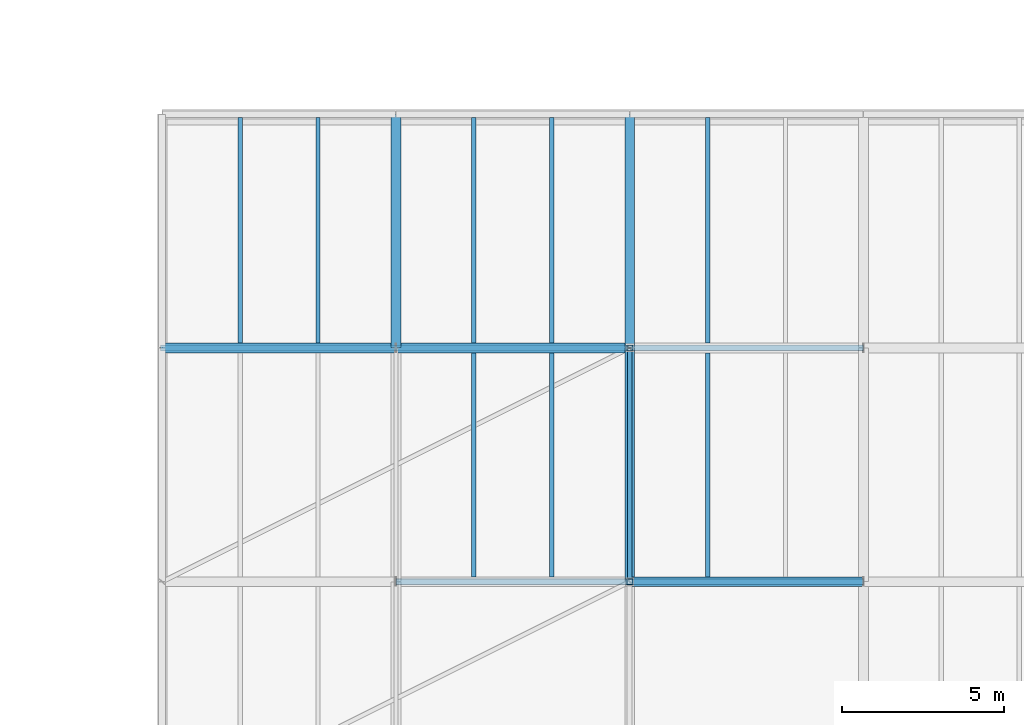
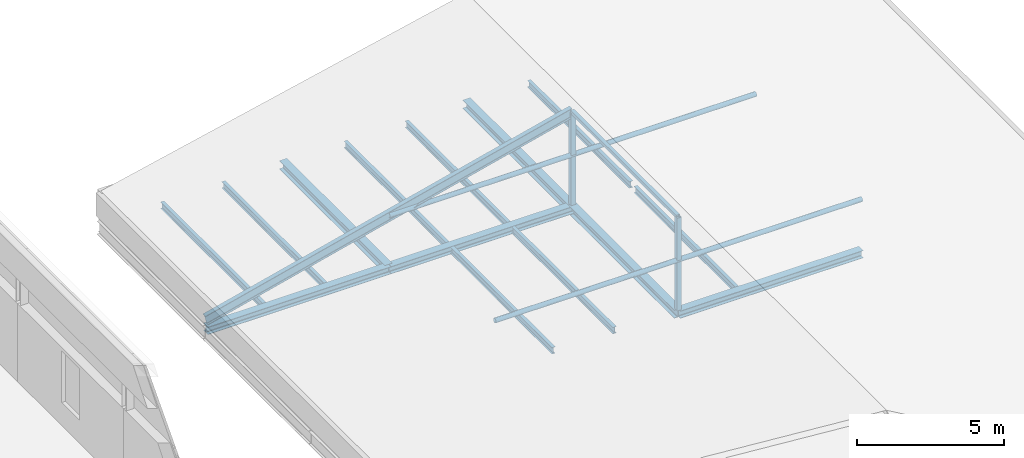
# One storey, part 9 of 44: 14 beams, 6 members.
"""IFC4 building model written with IfcOpenShell, lengths in metres."""

from ifc_helpers import new_model, si_unit, direction, frame, origin, origin_2d, place, context, subcontext, project, spatial, hollow_rectangle, hollow_circle, i_section, extrude, material, material_profile, profile_set, type_object, element, save


model = new_model("IFC4")

# Units and contexts
model_context = context("Model", 3, precision=1e-05, world=origin(), true_north=direction((0.0, 1.0)))
body_context = subcontext(model_context, "Body", "Model", "MODEL_VIEW")
ifc_project = project(units=[si_unit("LENGTHUNIT", "METRE"), si_unit("AREAUNIT", "SQUARE_METRE"), si_unit("VOLUMEUNIT", "CUBIC_METRE"), si_unit("PLANEANGLEUNIT", "RADIAN"), si_unit("MASSUNIT", "GRAM", prefix="KILO")], contexts=[model_context])

# Site, building, storey
site_placement = place(None, origin())
site = spatial("IfcSite", under=ifc_project, at=site_placement, CompositionType="ELEMENT")
building_placement = place(site_placement, origin())
building = spatial("IfcBuilding", under=site, at=building_placement, Name="Narikvali Park Central Library", CompositionType="ELEMENT")
storey_placement = place(building_placement, frame((0.0, 0.0, 22.800048828125)))
storey = spatial("IfcBuildingStorey", under=building, at=storey_placement, Name="L05", CompositionType="ELEMENT", Elevation=22.800048828125)

# Members
ifc_material = material(Name="Steel S355", Category="steel")
ifc_material_profile_1 = material_profile(ifc_material, hollow_rectangle(XDim=0.179931640625, YDim=0.179931640625, WallThickness=0.010009765625, at=origin_2d()), Name="SHS 180x180x10")
ifc_profile_set_1 = profile_set([ifc_material_profile_1], Name="Steel S355")
member_type_1 = type_object("IfcMemberType", Name="Auditorium Truss Vertical SHS180", PredefinedType="COLLAR", material=ifc_profile_set_1)
for number, where, z_axis, x_axis, name in (
    (1, (43.199951171875, 86.39990234375, -0.239990234375), (0.0, 0.0, 1.0), (1.0, 0.0, 0.0), "V4 Roof Truss King Strut 4"),
    (2, (43.199951171875, 93.60009765625, -0.239990234375), (0.0, 0.0, 1.0), (1.0, 0.0, 0.0), "V4 Roof Truss King Strut 5"),
):
    element("IfcMember", number, at=place(storey_placement, frame(where, z_axis=z_axis, x_axis=x_axis)), inside=storey, type_object=member_type_1, Name=name, PredefinedType="COLLAR", context=body_context, shape_type="SweptSolid", body=[
        extrude(hollow_rectangle(XDim=0.179931640625, YDim=0.179931640625, WallThickness=0.010009765625, at=origin_2d()), origin(), (0.0, 0.0, 1.0), 3.83984375),
    ])

# Beams
ifc_material_profile_2 = material_profile(ifc_material, i_section(OverallWidth=0.135009765625, OverallDepth=0.27001953125, WebThickness=0.006591796875, FlangeThickness=0.01025390625, FilletRadius=0.014892578125, at=origin_2d()), Name="IPE 270")
ifc_profile_set_2 = profile_set([ifc_material_profile_2], Name="Steel S355")
beam_type_1 = type_object("IfcBeamType", Name="Composite Floor Joist IPE270", PredefinedType="JOIST", material=ifc_profile_set_2)
for number, where, z_axis, x_axis, name in (
    (3, (31.199951171875, 93.75, -0.375), (0.0, 1.0, 0.0), (-1.0, 0.0, 0.0), "V4 L05 Composite Joist 1"),
    (4, (33.60009765625, 93.75, -0.375), (0.0, 1.0, 0.0), (-1.0, 0.0, 0.0), "V4 L05 Composite Joist 2"),
):
    element("IfcBeam", number, at=place(storey_placement, frame(where, z_axis=z_axis, x_axis=x_axis)), inside=storey, type_object=beam_type_1, Name=name, PredefinedType="JOIST", context=body_context, shape_type="SweptSolid", body=[
        extrude(i_section(OverallWidth=0.135009765625, OverallDepth=0.27001953125, WebThickness=0.006591796875, FlangeThickness=0.01025390625, FilletRadius=0.014892578125, at=origin_2d()), origin(), (0.0, 0.0, 1.0), 6.945068359375),
    ])
for number, where, z_axis, x_axis, name in (
    (5, (38.39990234375, 86.550048828125, -0.375), (0.0, 1.0, 0.0), (-1.0, 0.0, 0.0), "V4 L05 Composite Joist 1"),
    (6, (40.800048828125, 86.550048828125, -0.375), (0.0, 1.0, 0.0), (-1.0, 0.0, 0.0), "V4 L05 Composite Joist 2"),
):
    element("IfcBeam", number, at=place(storey_placement, frame(where, z_axis=z_axis, x_axis=x_axis)), inside=storey, type_object=beam_type_1, Name=name, PredefinedType="JOIST", context=body_context, shape_type="SweptSolid", body=[
        extrude(i_section(OverallWidth=0.135009765625, OverallDepth=0.27001953125, WebThickness=0.006591796875, FlangeThickness=0.01025390625, FilletRadius=0.014892578125, at=origin_2d()), origin(), (0.0, 0.0, 1.0), 6.89990234375),
    ])
for number, where, z_axis, x_axis, name in (
    (7, (38.39990234375, 93.75, -0.375), (0.0, 1.0, 0.0), (-1.0, 0.0, 0.0), "V4 L05 Composite Joist 1"),
    (8, (40.800048828125, 93.75, -0.375), (0.0, 1.0, 0.0), (-1.0, 0.0, 0.0), "V4 L05 Composite Joist 2"),
):
    element("IfcBeam", number, at=place(storey_placement, frame(where, z_axis=z_axis, x_axis=x_axis)), inside=storey, type_object=beam_type_1, Name=name, PredefinedType="JOIST", context=body_context, shape_type="SweptSolid", body=[
        extrude(i_section(OverallWidth=0.135009765625, OverallDepth=0.27001953125, WebThickness=0.006591796875, FlangeThickness=0.01025390625, FilletRadius=0.014892578125, at=origin_2d()), origin(), (0.0, 0.0, 1.0), 6.945068359375),
    ])
beam_1_placement = place(storey_placement, frame((45.60009765625, 86.550048828125, -0.375), z_axis=(0.0, 1.0, 0.0), x_axis=(-1.0, 0.0, 0.0)))
element("IfcBeam", 9, at=beam_1_placement, inside=storey, type_object=beam_type_1, Name="V4 L05 Composite Joist 1", PredefinedType="JOIST", context=body_context, shape_type="SweptSolid", body=[
    extrude(i_section(OverallWidth=0.135009765625, OverallDepth=0.27001953125, WebThickness=0.006591796875, FlangeThickness=0.01025390625, FilletRadius=0.014892578125, at=origin_2d()), origin(), (0.0, 0.0, 1.0), 6.89990234375),
])
beam_2_placement = place(storey_placement, frame((45.60009765625, 93.75, -0.375), z_axis=(0.0, 1.0, 0.0), x_axis=(-1.0, 0.0, 0.0)))
element("IfcBeam", 10, at=beam_2_placement, inside=storey, type_object=beam_type_1, Name="V4 L05 Composite Joist 1", PredefinedType="JOIST", context=body_context, shape_type="SweptSolid", body=[
    extrude(i_section(OverallWidth=0.135009765625, OverallDepth=0.27001953125, WebThickness=0.006591796875, FlangeThickness=0.01025390625, FilletRadius=0.014892578125, at=origin_2d()), origin(), (0.0, 0.0, 1.0), 6.945068359375),
])

# Members
ifc_material_profile_3 = material_profile(ifc_material, i_section(OverallWidth=0.179931640625, OverallDepth=0.39990234375, WebThickness=0.008544921875, FlangeThickness=0.013427734375, FilletRadius=0.02099609375, at=origin_2d()), Name="IPE 400")
ifc_profile_set_3 = profile_set([ifc_material_profile_3], Name="Steel S355")
member_type_2 = type_object("IfcMemberType", Name="Long-Span Pavilion Rafter IPE400", PredefinedType="RAFTER", material=ifc_profile_set_3)
member_1_placement = place(storey_placement, frame((28.800048828125, 93.60009765625, 0.0), z_axis=(0.97014443519, 0.0, 0.242527884726), x_axis=(0.0, 1.0, 0.0)))
element("IfcMember", 11, at=member_1_placement, inside=storey, type_object=member_type_2, Name="V4 Roof Rafter W 5", PredefinedType="RAFTER", context=body_context, shape_type="SweptSolid", body=[
    extrude(i_section(OverallWidth=0.179931640625, OverallDepth=0.39990234375, WebThickness=0.008544921875, FlangeThickness=0.013427734375, FilletRadius=0.02099609375, at=origin_2d()), origin(), (0.0, 0.0, 1.0), 14.843017578125),
])
ifc_material_profile_4 = material_profile(ifc_material, hollow_circle(Radius=0.096923828125, WallThickness=0.010009765625, at=origin_2d()), Name="CHS 193.7x10")
ifc_profile_set_4 = profile_set([ifc_material_profile_4], Name="Steel S355")
member_type_3 = type_object("IfcMemberType", Name="Pavilion Roof Collar Tie CHS193", PredefinedType="COLLAR", material=ifc_profile_set_4)
for number, where, z_axis, x_axis, name in (
    (12, (36.0, 86.39990234375, 1.800048828125), (1.0, 0.0, 0.0), (0.0, 1.0, 0.0), "V4 Roof Collar Tie 4"),
    (13, (36.0, 93.60009765625, 1.800048828125), (1.0, 0.0, 0.0), (0.0, 1.0, 0.0), "V4 Roof Collar Tie 5"),
):
    element("IfcMember", number, at=place(storey_placement, frame(where, z_axis=z_axis, x_axis=x_axis)), inside=storey, type_object=member_type_3, Name=name, PredefinedType="COLLAR", context=body_context, shape_type="SweptSolid", body=[
        extrude(hollow_circle(Radius=0.096923828125, WallThickness=0.010009765625, at=origin_2d()), origin(), (0.0, 0.0, 1.0), 14.39990234375),
    ])

# Beams
ifc_material_profile_5 = material_profile(ifc_material, i_section(OverallWidth=0.300048828125, OverallDepth=0.31005859375, WebThickness=0.009033203125, FlangeThickness=0.015380859375, FilletRadius=0.027099609375, at=origin_2d()), Name="HEA 320")
ifc_profile_set_5 = profile_set([ifc_material_profile_5], Name="Steel S355")
beam_type_2 = type_object("IfcBeamType", Name="Primary Girder HEA320", PredefinedType="BEAM", material=ifc_profile_set_5)
beam_3_placement = place(storey_placement, frame((43.2080078125, 86.39990234375, -0.39501953125), z_axis=(1.0, 0.0, 0.0), x_axis=(0.0, 1.0, 0.0)))
element("IfcBeam", 14, at=beam_3_placement, inside=storey, type_object=beam_type_2, Name="V4 L05 Girder X", PredefinedType="BEAM", context=body_context, shape_type="SweptSolid", body=[
    extrude(i_section(OverallWidth=0.300048828125, OverallDepth=0.31005859375, WebThickness=0.009033203125, FlangeThickness=0.015380859375, FilletRadius=0.027099609375, at=origin_2d()), origin(), (0.0, 0.0, 1.0), 7.18408203125),
])
for number, where, z_axis, x_axis, name in (
    (15, (28.80810546875, 93.60009765625, -0.39501953125), (1.0, 0.0, 0.0), (0.0, 1.0, 0.0), "V4 L05 Girder X"),
    (16, (36.008056640625, 93.60009765625, -0.39501953125), (1.0, 0.0, 0.0), (0.0, 1.0, 0.0), "V4 L05 Girder X"),
):
    element("IfcBeam", number, at=place(storey_placement, frame(where, z_axis=z_axis, x_axis=x_axis)), inside=storey, type_object=beam_type_2, Name=name, PredefinedType="BEAM", context=body_context, shape_type="SweptSolid", body=[
        extrude(i_section(OverallWidth=0.300048828125, OverallDepth=0.31005859375, WebThickness=0.009033203125, FlangeThickness=0.015380859375, FilletRadius=0.027099609375, at=origin_2d()), origin(), (0.0, 0.0, 1.0), 7.183837890625),
    ])
ifc_material_profile_6 = material_profile(ifc_material, i_section(OverallWidth=0.300048828125, OverallDepth=0.35009765625, WebThickness=0.010009765625, FlangeThickness=0.017578125, FilletRadius=0.027099609375, at=origin_2d()), Name="HEA 360")
ifc_profile_set_6 = profile_set([ifc_material_profile_6], Name="Steel S355")
beam_type_3 = type_object("IfcBeamType", Name="Primary Girder HEA360", PredefinedType="BEAM", material=ifc_profile_set_6)
for number, where, z_axis, x_axis, name in (
    (17, (36.0, 93.60791015625, -0.4150390625), (0.0, 1.0, 0.0), (-1.0, 0.0, 0.0), "V4 L05 Girder Y"),
    (18, (43.199951171875, 86.407958984375, -0.4150390625), (0.0, 1.0, 0.0), (-1.0, 0.0, 0.0), "V4 L05 Girder Y"),
    (19, (43.199951171875, 93.60791015625, -0.4150390625), (0.0, 1.0, 0.0), (-1.0, 0.0, 0.0), "V4 L05 Girder Y"),
):
    element("IfcBeam", number, at=place(storey_placement, frame(where, z_axis=z_axis, x_axis=x_axis)), inside=storey, type_object=beam_type_3, Name=name, PredefinedType="BEAM", context=body_context, shape_type="SweptSolid", body=[
        extrude(i_section(OverallWidth=0.300048828125, OverallDepth=0.35009765625, WebThickness=0.010009765625, FlangeThickness=0.017578125, FilletRadius=0.027099609375, at=origin_2d()), origin(), (0.0, 0.0, 1.0), 7.18408203125),
    ])

# Member
ifc_material_profile_7 = material_profile(ifc_material, hollow_rectangle(XDim=0.139892578125, YDim=0.139892578125, WallThickness=0.008056640625, at=origin_2d()), Name="SHS 140x140x8")
ifc_profile_set_7 = profile_set([ifc_material_profile_7], Name="Steel S355")
member_type_4 = type_object("IfcMemberType", Name="Roof Secondary Purlin SHS140x140", PredefinedType="PURLIN", material=ifc_profile_set_7)
member_2_placement = place(storey_placement, frame((43.199951171875, 86.39990234375, 3.599853515625), z_axis=(0.0, 1.0, 0.0), x_axis=(-1.0, 0.0, 0.0)))
element("IfcMember", 20, at=member_2_placement, inside=storey, type_object=member_type_4, Name="V4 Ridge Purlin 4", PredefinedType="PURLIN", context=body_context, shape_type="SweptSolid", body=[
    extrude(hollow_rectangle(XDim=0.139892578125, YDim=0.139892578125, WallThickness=0.008056640625, at=origin_2d()), origin(), (0.0, 0.0, 1.0), 7.2001953125),
])

save(model, "model.ifc")
